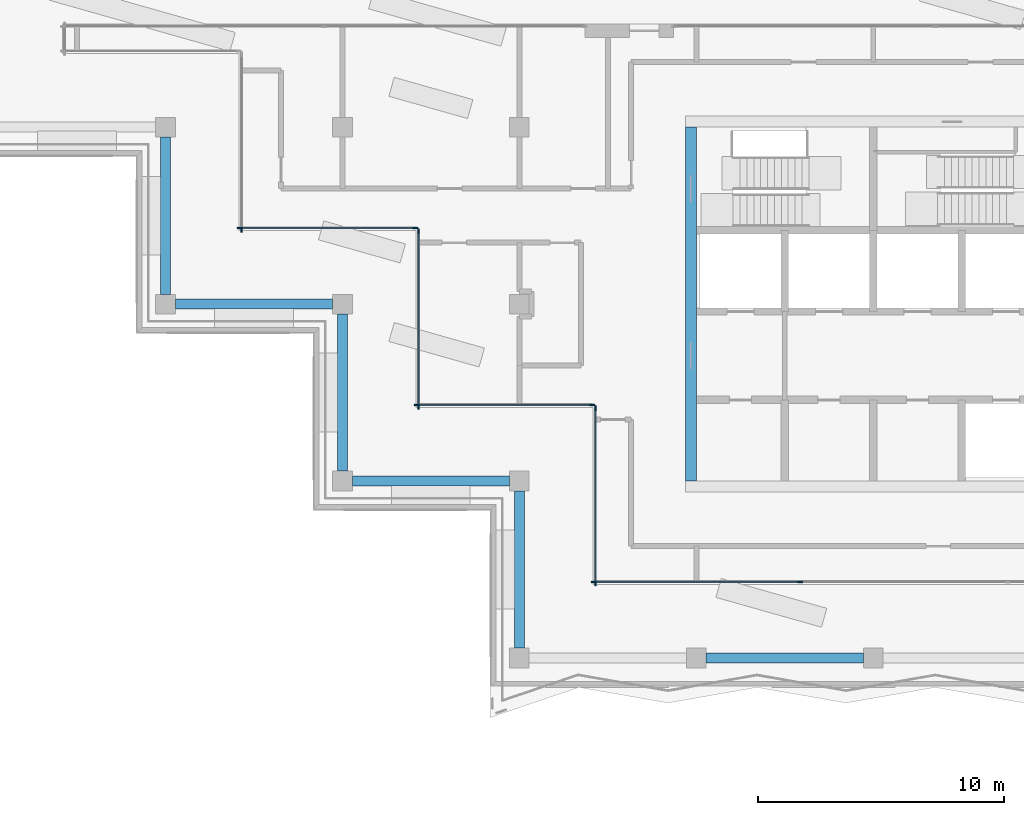
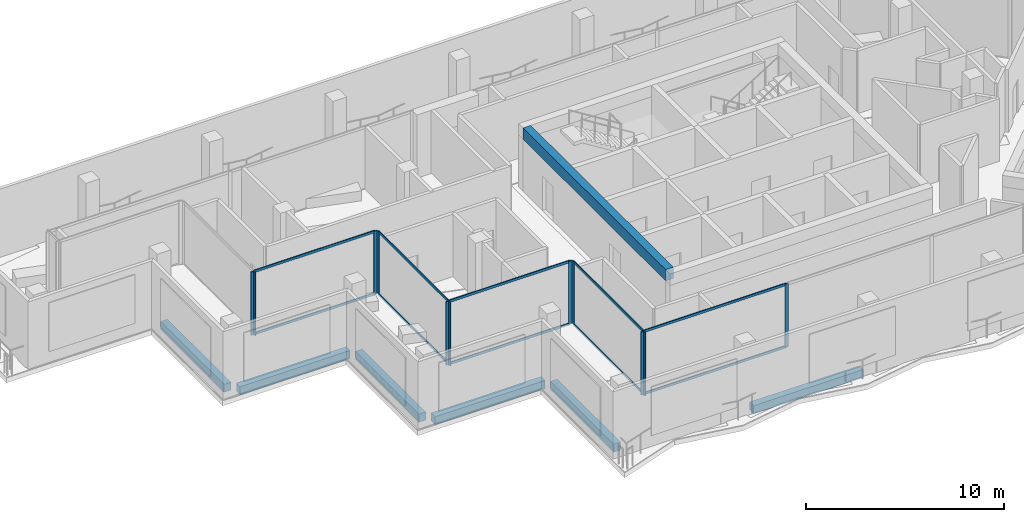
# One storey, part 2 of 19: 21 members, 7 beams, 6 elements without a shape of their own.
"""IFC4 building model written with IfcOpenShell, lengths in metres."""

from ifc_helpers import new_model, si_unit, direction, frame, origin, origin_2d, place, context, subcontext, project, spatial, rectangle, extrude, material, material_profile, profile_set, type_object, element, aggregate, save


model = new_model("IFC4")

# Units and contexts
model_context = context("Model", 3, precision=1e-05, world=origin(), true_north=direction((0.0, 1.0)))
body_context = subcontext(model_context, "Body", "Model", "MODEL_VIEW")
ifc_project = project(units=[si_unit("LENGTHUNIT", "METRE"), si_unit("AREAUNIT", "SQUARE_METRE"), si_unit("VOLUMEUNIT", "CUBIC_METRE"), si_unit("PLANEANGLEUNIT", "RADIAN"), si_unit("MASSUNIT", "GRAM", prefix="KILO")], contexts=[model_context])

# Site, building, storey
site_placement = place(None, origin())
site = spatial("IfcSite", under=ifc_project, at=site_placement, CompositionType="ELEMENT")
building_placement = place(site_placement, origin())
building = spatial("IfcBuilding", under=site, at=building_placement, Name="Windrow Commons", CompositionType="ELEMENT")
storey_placement = place(building_placement, frame((0.0, 0.0, 230.4)))
storey = spatial("IfcBuildingStorey", under=building, at=storey_placement, Name="L63", CompositionType="ELEMENT", Elevation=230.4)

# Curtain wall, member
ifc_material_1 = material(Name="Clear laminated glass in Aluminium 6063-T6 anodised frame", Category="aluminium")
curtain_wall_type = type_object("IfcCurtainWallType", Name="Curtain wall CW2H sky lounge upper", PredefinedType="USERDEFINED", material=ifc_material_1)
placement = place(storey_placement, origin())
curtain_wall_1 = element("IfcCurtainWall", 1, at=placement, inside=storey, type_object=curtain_wall_type, Name="Curtain wall CW2H L63 7", ObjectType="UNITISED", PredefinedType="USERDEFINED")
ifc_material_2 = material(Name="Aluminium 6063-T6", Category="aluminium")
ifc_material_profile_1 = material_profile(ifc_material_2, rectangle(XDim=0.06, YDim=0.2, at=origin_2d()))
ifc_profile_set_1 = profile_set([ifc_material_profile_1], Name="Aluminium 6063-T6")
member_type_1 = type_object("IfcMemberType", Name="CW2H mullion 60x200", PredefinedType="MULLION", material=ifc_profile_set_1)
member_1_placement = place(storey_placement, frame((39.1, 60.63, 0.0), z_axis=(0.0, 0.0, 1.0), x_axis=(1.0, 0.0, 0.0)))
member_1 = element("IfcMember", 2, at=member_1_placement, type_object=member_type_1, Name="CW2H mullion 2", PredefinedType="MULLION", context=body_context, shape_type="SweptSolid", body=[
    extrude(rectangle(XDim=0.06, YDim=0.2, at=origin_2d()), origin(), (0.0, 0.0, 1.0), 3.9),
])
aggregate(curtain_wall_1, [member_1])

# Curtain wall, members
curtain_wall_2 = element("IfcCurtainWall", 3, at=placement, inside=storey, type_object=curtain_wall_type, Name="Curtain wall CW2H L63 8", ObjectType="UNITISED", PredefinedType="USERDEFINED")
member_2_placement = place(storey_placement, frame((39.03, 60.7, 0.0), z_axis=(0.0, 0.0, 1.0), x_axis=(0.0, 1.0, 0.0)))
member_2 = element("IfcMember", 4, at=member_2_placement, type_object=member_type_1, Name="CW2H mullion 1", PredefinedType="MULLION", context=body_context, shape_type="SweptSolid", body=[
    extrude(rectangle(XDim=0.06, YDim=0.2, at=origin_2d()), origin(), (0.0, 0.0, 1.0), 3.9),
])
member_3_placement = place(storey_placement, frame((46.17, 60.7, 0.0), z_axis=(0.0, 0.0, 1.0), x_axis=(0.0, 1.0, 0.0)))
member_3 = element("IfcMember", 5, at=member_3_placement, type_object=member_type_1, Name="CW2H mullion 2", PredefinedType="MULLION", context=body_context, shape_type="SweptSolid", body=[
    extrude(rectangle(XDim=0.06, YDim=0.2, at=origin_2d()), origin(), (0.0, 0.0, 1.0), 3.9),
])

curtain_wall_3 = element("IfcCurtainWall", 6, at=placement, inside=storey, type_object=curtain_wall_type, Name="Curtain wall CW2H L63 9", ObjectType="UNITISED", PredefinedType="USERDEFINED")
member_4_placement = place(storey_placement, frame((46.3, 60.57, 0.0), z_axis=(0.0, 0.0, 1.0), x_axis=(1.0, 0.0, 0.0)))
member_4 = element("IfcMember", 7, at=member_4_placement, type_object=member_type_1, Name="CW2H mullion 1", PredefinedType="MULLION", context=body_context, shape_type="SweptSolid", body=[
    extrude(rectangle(XDim=0.06, YDim=0.2, at=origin_2d()), origin(), (0.0, 0.0, 1.0), 3.9),
])
member_5_placement = place(storey_placement, frame((46.3, 53.43, 0.0), z_axis=(0.0, 0.0, 1.0), x_axis=(1.0, 0.0, 0.0)))
member_5 = element("IfcMember", 8, at=member_5_placement, type_object=member_type_1, Name="CW2H mullion 2", PredefinedType="MULLION", context=body_context, shape_type="SweptSolid", body=[
    extrude(rectangle(XDim=0.06, YDim=0.2, at=origin_2d()), origin(), (0.0, 0.0, 1.0), 3.9),
])

curtain_wall_4 = element("IfcCurtainWall", 9, at=placement, inside=storey, type_object=curtain_wall_type, Name="Curtain wall CW2H L63 10", ObjectType="UNITISED", PredefinedType="USERDEFINED")
member_6_placement = place(storey_placement, frame((46.23, 53.5, 0.0), z_axis=(0.0, 0.0, 1.0), x_axis=(0.0, 1.0, 0.0)))
member_6 = element("IfcMember", 10, at=member_6_placement, type_object=member_type_1, Name="CW2H mullion 1", PredefinedType="MULLION", context=body_context, shape_type="SweptSolid", body=[
    extrude(rectangle(XDim=0.06, YDim=0.2, at=origin_2d()), origin(), (0.0, 0.0, 1.0), 3.9),
])
member_7_placement = place(storey_placement, frame((53.37, 53.5, 0.0), z_axis=(0.0, 0.0, 1.0), x_axis=(0.0, 1.0, 0.0)))
member_7 = element("IfcMember", 11, at=member_7_placement, type_object=member_type_1, Name="CW2H mullion 2", PredefinedType="MULLION", context=body_context, shape_type="SweptSolid", body=[
    extrude(rectangle(XDim=0.06, YDim=0.2, at=origin_2d()), origin(), (0.0, 0.0, 1.0), 3.9),
])

curtain_wall_5 = element("IfcCurtainWall", 12, at=placement, inside=storey, type_object=curtain_wall_type, Name="Curtain wall CW2H L63 11", ObjectType="UNITISED", PredefinedType="USERDEFINED")
member_8_placement = place(storey_placement, frame((53.5, 53.37, 0.0), z_axis=(0.0, 0.0, 1.0), x_axis=(1.0, 0.0, 0.0)))
member_8 = element("IfcMember", 13, at=member_8_placement, type_object=member_type_1, Name="CW2H mullion 1", PredefinedType="MULLION", context=body_context, shape_type="SweptSolid", body=[
    extrude(rectangle(XDim=0.06, YDim=0.2, at=origin_2d()), origin(), (0.0, 0.0, 1.0), 3.9),
])
member_9_placement = place(storey_placement, frame((53.5, 46.23, 0.0), z_axis=(0.0, 0.0, 1.0), x_axis=(1.0, 0.0, 0.0)))
member_9 = element("IfcMember", 14, at=member_9_placement, type_object=member_type_1, Name="CW2H mullion 2", PredefinedType="MULLION", context=body_context, shape_type="SweptSolid", body=[
    extrude(rectangle(XDim=0.06, YDim=0.2, at=origin_2d()), origin(), (0.0, 0.0, 1.0), 3.9),
])

curtain_wall_6 = element("IfcCurtainWall", 15, at=placement, inside=storey, type_object=curtain_wall_type, Name="Curtain wall CW2H L63 12", ObjectType="UNITISED", PredefinedType="USERDEFINED")
member_10_placement = place(storey_placement, frame((53.43, 46.3, 0.0), z_axis=(0.0, 0.0, 1.0), x_axis=(0.0, 1.0, 0.0)))
member_10 = element("IfcMember", 16, at=member_10_placement, type_object=member_type_1, Name="CW2H mullion 1", PredefinedType="MULLION", context=body_context, shape_type="SweptSolid", body=[
    extrude(rectangle(XDim=0.06, YDim=0.2, at=origin_2d()), origin(), (0.0, 0.0, 1.0), 3.9),
])
member_11_placement = place(storey_placement, frame((61.8319, 46.3, 0.0), z_axis=(0.0, 0.0, 1.0), x_axis=(0.0, 1.0, 0.0)))
member_11 = element("IfcMember", 17, at=member_11_placement, type_object=member_type_1, Name="CW2H mullion 2", PredefinedType="MULLION", context=body_context, shape_type="SweptSolid", body=[
    extrude(rectangle(XDim=0.06, YDim=0.2, at=origin_2d()), origin(), (0.0, 0.0, 1.0), 3.9),
])

# Member
ifc_material_3 = material(Name="Aluminium 6063-T6", Category="aluminium")
ifc_material_profile_2 = material_profile(ifc_material_3, rectangle(XDim=0.06, YDim=0.15, at=origin_2d()))
ifc_profile_set_2 = profile_set([ifc_material_profile_2], Name="Aluminium 6063-T6")
member_type_2 = type_object("IfcMemberType", Name="CW2H transom 60x150", PredefinedType="USERDEFINED", material=ifc_profile_set_2)
member_12_placement = place(storey_placement, frame((39.06, 60.7, 0.03), z_axis=(1.0, 0.0, 0.0), x_axis=(0.0, 1.0, 0.0)))
member_12 = element("IfcMember", 18, at=member_12_placement, type_object=member_type_2, Name="CW2H transom 1.1", ObjectType="TRANSOM", PredefinedType="USERDEFINED", context=body_context, shape_type="SweptSolid", body=[
    extrude(rectangle(XDim=0.06, YDim=0.15, at=origin_2d()), origin(), (0.0, 0.0, 1.0), 7.08),
])

member_13_placement = place(storey_placement, frame((39.06, 60.7, 3.87), z_axis=(1.0, 0.0, 0.0), x_axis=(0.0, 1.0, 0.0)))
member_13 = element("IfcMember", 19, at=member_13_placement, type_object=member_type_2, Name="CW2H transom 1.2", ObjectType="TRANSOM", PredefinedType="USERDEFINED", context=body_context, shape_type="SweptSolid", body=[
    extrude(rectangle(XDim=0.06, YDim=0.15, at=origin_2d()), origin(), (0.0, 0.0, 1.0), 7.08),
])

aggregate(curtain_wall_2, [member_2, member_3, member_12, member_13])

member_14_placement = place(storey_placement, frame((46.3, 60.54, 0.03), z_axis=(0.0, -1.0, 0.0), x_axis=(1.0, 0.0, 0.0)))
member_14 = element("IfcMember", 20, at=member_14_placement, type_object=member_type_2, Name="CW2H transom 1.1", ObjectType="TRANSOM", PredefinedType="USERDEFINED", context=body_context, shape_type="SweptSolid", body=[
    extrude(rectangle(XDim=0.06, YDim=0.15, at=origin_2d()), origin(), (0.0, 0.0, 1.0), 7.08),
])

member_15_placement = place(storey_placement, frame((46.3, 60.54, 3.87), z_axis=(0.0, -1.0, 0.0), x_axis=(1.0, 0.0, 0.0)))
member_15 = element("IfcMember", 21, at=member_15_placement, type_object=member_type_2, Name="CW2H transom 1.2", ObjectType="TRANSOM", PredefinedType="USERDEFINED", context=body_context, shape_type="SweptSolid", body=[
    extrude(rectangle(XDim=0.06, YDim=0.15, at=origin_2d()), origin(), (0.0, 0.0, 1.0), 7.08),
])

aggregate(curtain_wall_3, [member_4, member_5, member_14, member_15])

member_16_placement = place(storey_placement, frame((46.26, 53.5, 0.03), z_axis=(1.0, 0.0, 0.0), x_axis=(0.0, 1.0, 0.0)))
member_16 = element("IfcMember", 22, at=member_16_placement, type_object=member_type_2, Name="CW2H transom 1.1", ObjectType="TRANSOM", PredefinedType="USERDEFINED", context=body_context, shape_type="SweptSolid", body=[
    extrude(rectangle(XDim=0.06, YDim=0.15, at=origin_2d()), origin(), (0.0, 0.0, 1.0), 7.08),
])

member_17_placement = place(storey_placement, frame((46.26, 53.5, 3.87), z_axis=(1.0, 0.0, 0.0), x_axis=(0.0, 1.0, 0.0)))
member_17 = element("IfcMember", 23, at=member_17_placement, type_object=member_type_2, Name="CW2H transom 1.2", ObjectType="TRANSOM", PredefinedType="USERDEFINED", context=body_context, shape_type="SweptSolid", body=[
    extrude(rectangle(XDim=0.06, YDim=0.15, at=origin_2d()), origin(), (0.0, 0.0, 1.0), 7.08),
])

aggregate(curtain_wall_4, [member_6, member_7, member_16, member_17])

member_18_placement = place(storey_placement, frame((53.5, 53.34, 0.03), z_axis=(0.0, -1.0, 0.0), x_axis=(1.0, 0.0, 0.0)))
member_18 = element("IfcMember", 24, at=member_18_placement, type_object=member_type_2, Name="CW2H transom 1.1", ObjectType="TRANSOM", PredefinedType="USERDEFINED", context=body_context, shape_type="SweptSolid", body=[
    extrude(rectangle(XDim=0.06, YDim=0.15, at=origin_2d()), origin(), (0.0, 0.0, 1.0), 7.08),
])

member_19_placement = place(storey_placement, frame((53.5, 53.34, 3.87), z_axis=(0.0, -1.0, 0.0), x_axis=(1.0, 0.0, 0.0)))
member_19 = element("IfcMember", 25, at=member_19_placement, type_object=member_type_2, Name="CW2H transom 1.2", ObjectType="TRANSOM", PredefinedType="USERDEFINED", context=body_context, shape_type="SweptSolid", body=[
    extrude(rectangle(XDim=0.06, YDim=0.15, at=origin_2d()), origin(), (0.0, 0.0, 1.0), 7.08),
])

aggregate(curtain_wall_5, [member_8, member_9, member_18, member_19])

member_20_placement = place(storey_placement, frame((53.46, 46.3, 0.03), z_axis=(1.0, 0.0, 0.0), x_axis=(0.0, 1.0, 0.0)))
member_20 = element("IfcMember", 26, at=member_20_placement, type_object=member_type_2, Name="CW2H transom 1.1", ObjectType="TRANSOM", PredefinedType="USERDEFINED", context=body_context, shape_type="SweptSolid", body=[
    extrude(rectangle(XDim=0.06, YDim=0.15, at=origin_2d()), origin(), (0.0, 0.0, 1.0), 8.3419),
])

member_21_placement = place(storey_placement, frame((53.46, 46.3, 3.87), z_axis=(1.0, 0.0, 0.0), x_axis=(0.0, 1.0, 0.0)))
member_21 = element("IfcMember", 27, at=member_21_placement, type_object=member_type_2, Name="CW2H transom 1.2", ObjectType="TRANSOM", PredefinedType="USERDEFINED", context=body_context, shape_type="SweptSolid", body=[
    extrude(rectangle(XDim=0.06, YDim=0.15, at=origin_2d()), origin(), (0.0, 0.0, 1.0), 8.3419),
])

aggregate(curtain_wall_6, [member_10, member_11, member_20, member_21])

# Beams
ifc_material_4 = material(Name="Concrete C40/50", Category="concrete")
ifc_material_profile_3 = material_profile(ifc_material_4, rectangle(XDim=0.45, YDim=0.7, at=origin_2d()))
ifc_profile_set_3 = profile_set([ifc_material_profile_3], Name="Concrete C40/50")
beam_type_1 = type_object("IfcBeamType", Name="RC COUPLING BEAM 450x700 C40/50", PredefinedType="LINTEL", material=ifc_profile_set_3)
beam_placement = place(storey_placement, frame((57.375, 50.4, 3.55), z_axis=(0.0, 1.0, 0.0), x_axis=(-1.0, 0.0, 0.0)))
element("IfcBeam", 28, at=beam_placement, inside=storey, type_object=beam_type_1, Name="Core A coupling beam outer-W", PredefinedType="LINTEL", context=body_context, shape_type="SweptSolid", body=[
    extrude(rectangle(XDim=0.45, YDim=0.7, at=origin_2d()), origin(), (0.0, 0.0, 1.0), 14.4),
])
ifc_material_5 = material(Name="Concrete C40/50", Category="concrete")
ifc_material_profile_4 = material_profile(ifc_material_5, rectangle(XDim=0.4, YDim=0.5, at=origin_2d()))
ifc_profile_set_4 = profile_set([ifc_material_profile_4], Name="Concrete C40/50")
beam_type_2 = type_object("IfcBeamType", Name="RC EDGE BEAM 400x500 C40/50", PredefinedType="SPANDREL", material=ifc_profile_set_4)
for number, where, z_axis, x_axis, name in (
    (29, (50.4, 43.6, -0.55), (0.0, 1.0, 0.0), (-1.0, 0.0, 0.0), "Edge beam L63 002"),
    (30, (50.0, 50.4, -0.55), (-1.0, 0.0, 0.0), (0.0, -1.0, 0.0), "Edge beam L63 003"),
    (31, (43.2, 50.8, -0.55), (0.0, 1.0, 0.0), (-1.0, 0.0, 0.0), "Edge beam L63 004"),
    (32, (42.8, 57.6, -0.55), (-1.0, 0.0, 0.0), (0.0, -1.0, 0.0), "Edge beam L63 005"),
    (33, (36.0, 58.0, -0.55), (0.0, 1.0, 0.0), (-1.0, 0.0, 0.0), "Edge beam L63 006"),
    (34, (64.4, 43.2, -0.55), (-1.0, 0.0, 0.0), (0.0, -1.0, 0.0), "Edge beam L63 025"),
):
    element("IfcBeam", number, at=place(storey_placement, frame(where, z_axis=z_axis, x_axis=x_axis)), inside=storey, type_object=beam_type_2, Name=name, PredefinedType="SPANDREL", context=body_context, shape_type="SweptSolid", body=[
        extrude(rectangle(XDim=0.4, YDim=0.5, at=origin_2d()), origin(), (0.0, 0.0, 1.0), 6.4),
    ])

save(model, "model.ifc")
